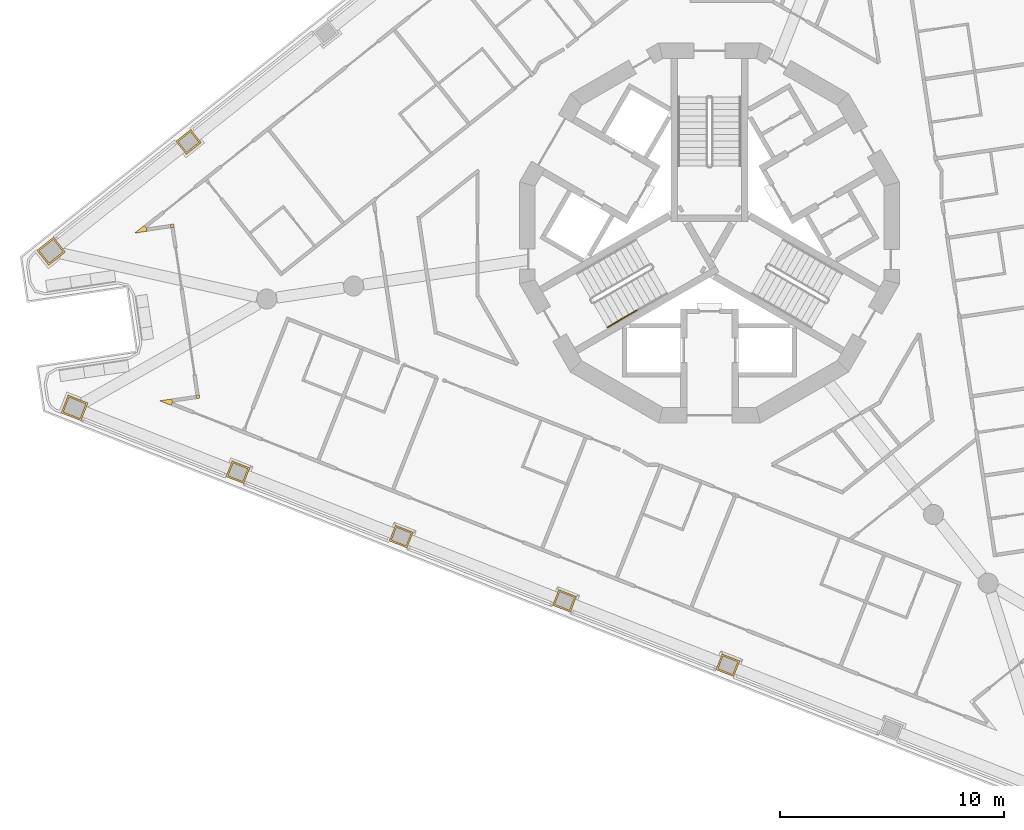
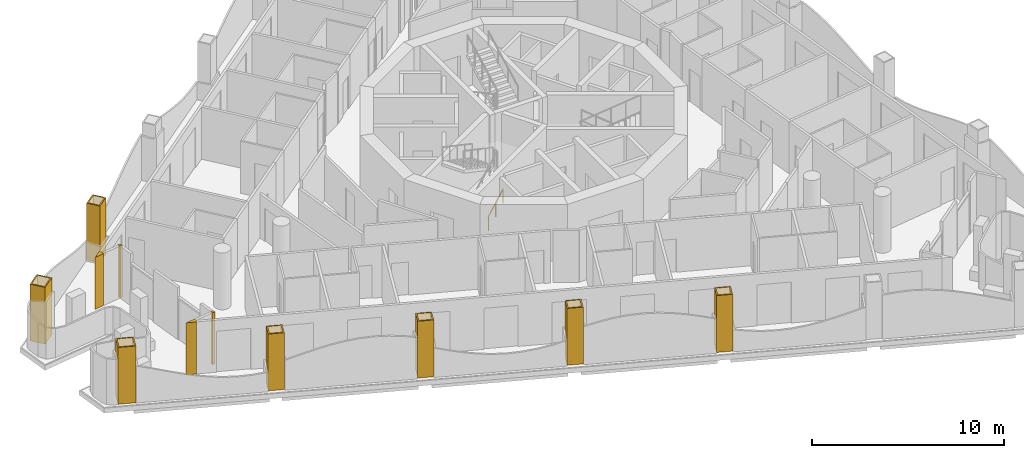
# One storey, part 11 of 17: 11 coverings, 1 railing.
"""IFC4 building model written with IfcOpenShell, lengths in metres."""

from ifc_helpers import new_model, si_unit, direction, frame, origin, origin_2d, place, context, subcontext, project, spatial, polyline, circle, outline, extrude, material, layer, layer_set, type_object, element, save


model = new_model("IFC4")

# Units and contexts
model_context = context("Model", 3, precision=1e-05, world=origin(), true_north=direction((0.0, 1.0)))
body_context = subcontext(model_context, "Body", "Model", "MODEL_VIEW")
ifc_project = project(units=[si_unit("LENGTHUNIT", "METRE"), si_unit("AREAUNIT", "SQUARE_METRE"), si_unit("VOLUMEUNIT", "CUBIC_METRE"), si_unit("PLANEANGLEUNIT", "RADIAN"), si_unit("MASSUNIT", "GRAM", prefix="KILO")], contexts=[model_context])

# Site, building, storey
site_placement = place(None, origin())
site = spatial("IfcSite", under=ifc_project, at=site_placement, CompositionType="ELEMENT")
building_placement = place(site_placement, origin())
building = spatial("IfcBuilding", under=site, at=building_placement, Name="Trine Commons Tower", CompositionType="ELEMENT")
storey_placement = place(building_placement, frame((0.0, 0.0, 212.39990234375)))
storey = spatial("IfcBuildingStorey", under=building, at=storey_placement, Name="L55", CompositionType="ELEMENT", Elevation=212.39990234375)

# Coverings
ifc_material_1 = material(Name="Aluminium-framed insulated wall panel", Category="aluminium")
ifc_layer_1 = layer(ifc_material_1, 0.14990234375)
ifc_layer_set_1 = layer_set([ifc_layer_1], Name="Aluminium-framed insulated wall panel")
covering_type_1 = type_object("IfcCoveringType", Name="Glazing corner post, aluminium", PredefinedType="CLADDING", material=ifc_layer_set_1)
covering_1_placement = place(storey_placement, origin())
element("IfcCovering", 1, at=covering_1_placement, inside=storey, type_object=covering_type_1, Name="Glazing corner post 6-01", PredefinedType="CLADDING", context=body_context, shape_type="SweptSolid", body=[
    extrude(outline(polyline([(54.83642578125, 62.5712890625), (54.814208984375, 62.7197265625), (54.720947265625, 62.837158203125), (54.28271484375, 62.488525390625), (54.83642578125, 62.5712890625)])), origin(), (0.0, 0.0, 1.0), 3.300048828125),
])
covering_2_placement = place(storey_placement, origin())
element("IfcCovering", 2, at=covering_2_placement, inside=storey, type_object=covering_type_1, Name="Glazing corner post 6-10", PredefinedType="CLADDING", context=body_context, shape_type="SweptSolid", body=[
    extrude(outline(polyline([(55.924072265625, 54.78662109375), (55.97900390625, 54.92626953125), (55.956787109375, 55.07470703125), (55.4033203125, 54.991943359375), (55.924072265625, 54.78662109375)])), origin(), (0.0, 0.0, 1.0), 3.300048828125),
])
covering_3_placement = place(storey_placement, origin())
element("IfcCovering", 3, at=covering_3_placement, inside=storey, type_object=covering_type_1, Name="Glazing corner post 6-11", PredefinedType="CLADDING", context=body_context, shape_type="SweptSolid", body=[
    extrude(outline(polyline([(57.030517578125, 55.235107421875), (57.052734375, 55.0869140625), (57.201171875, 55.10888671875), (57.178955078125, 55.25732421875), (57.030517578125, 55.235107421875)])), origin(), (0.0, 0.0, 1.0), 3.300048828125),
])
covering_4_placement = place(storey_placement, origin())
element("IfcCovering", 4, at=covering_4_placement, inside=storey, type_object=covering_type_1, Name="Glazing corner post 6-12", PredefinedType="CLADDING", context=body_context, shape_type="SweptSolid", body=[
    extrude(outline(polyline([(55.91015625, 62.731689453125), (55.91015625, 62.731689453125), (56.05859375, 62.75390625), (56.036376953125, 62.90234375), (55.887939453125, 62.880126953125), (55.91015625, 62.731689453125)])), origin(), (0.0, 0.0, 1.0), 3.300048828125),
])
ifc_material_2 = material(Name="Limestone, honed", Category="masonry")
ifc_layer_2 = layer(ifc_material_2, 0.074951171875)
ifc_layer_set_2 = layer_set([ifc_layer_2], Name="Limestone, honed")
covering_type_2 = type_object("IfcCoveringType", Name="Limestone column cladding 75", PredefinedType="CLADDING", material=ifc_layer_set_2)
covering_5_placement = place(storey_placement, origin())
element("IfcCovering", 5, at=covering_5_placement, inside=storey, type_object=covering_type_2, Name="Limestone pier cladding 6-03", PredefinedType="CLADDING", context=body_context, shape_type="SweptSolid", body=[
    extrude(outline(polyline([(80.562744140625, 43.66796875), (80.287841796875, 42.97021484375), (81.078857421875, 42.658447265625), (81.353759765625, 43.356201171875), (80.562744140625, 43.66796875)]), holes=[polyline([(80.60498046875, 43.570556640625), (80.38525390625, 43.012451171875), (81.03662109375, 42.755859375), (81.25634765625, 43.31396484375), (80.60498046875, 43.570556640625)])]), origin(), (0.0, 0.0, 1.0), 3.60009765625),
])
covering_6_placement = place(storey_placement, origin())
element("IfcCovering", 6, at=covering_6_placement, inside=storey, type_object=covering_type_2, Name="Limestone pier cladding 6-04", PredefinedType="CLADDING", context=body_context, shape_type="SweptSolid", body=[
    extrude(outline(polyline([(73.25830078125, 46.545166015625), (72.9833984375, 45.847412109375), (73.7744140625, 45.535888671875), (74.04931640625, 46.233642578125), (73.25830078125, 46.545166015625)]), holes=[polyline([(73.30078125, 46.447998046875), (73.080810546875, 45.8896484375), (73.732177734375, 45.633056640625), (73.951904296875, 46.19140625), (73.30078125, 46.447998046875)])]), origin(), (0.0, 0.0, 1.0), 3.60009765625),
])
covering_7_placement = place(storey_placement, origin())
element("IfcCovering", 7, at=covering_7_placement, inside=storey, type_object=covering_type_2, Name="Limestone pier cladding 6-05", PredefinedType="CLADDING", context=body_context, shape_type="SweptSolid", body=[
    extrude(outline(polyline([(65.9541015625, 49.42236328125), (65.67919921875, 48.724609375), (66.47021484375, 48.4130859375), (66.7451171875, 49.11083984375), (65.9541015625, 49.42236328125)]), holes=[polyline([(65.996337890625, 49.3251953125), (65.776611328125, 48.766845703125), (66.427734375, 48.51025390625), (66.647705078125, 49.068603515625), (65.996337890625, 49.3251953125)])]), origin(), (0.0, 0.0, 1.0), 3.60009765625),
])
covering_8_placement = place(storey_placement, origin())
element("IfcCovering", 8, at=covering_8_placement, inside=storey, type_object=covering_type_2, Name="Limestone pier cladding 6-06", PredefinedType="CLADDING", context=body_context, shape_type="SweptSolid", body=[
    extrude(outline(polyline([(58.64990234375, 52.2998046875), (58.375, 51.601806640625), (59.165771484375, 51.290283203125), (59.440673828125, 51.988037109375), (58.64990234375, 52.2998046875)]), holes=[polyline([(58.692138671875, 52.202392578125), (58.47216796875, 51.644287109375), (59.12353515625, 51.3876953125), (59.343505859375, 51.94580078125), (58.692138671875, 52.202392578125)])]), origin(), (0.0, 0.0, 1.0), 3.60009765625),
])
covering_9_placement = place(storey_placement, origin())
element("IfcCovering", 9, at=covering_9_placement, inside=storey, type_object=covering_type_2, Name="Limestone pier cladding 6-07", PredefinedType="CLADDING", context=body_context, shape_type="SweptSolid", body=[
    extrude(outline(polyline([(51.317138671875, 55.24169921875), (51.005615234375, 54.450927734375), (51.8896484375, 54.102783203125), (52.201171875, 54.8935546875), (51.317138671875, 55.24169921875)]), holes=[polyline([(51.359619140625, 55.14453125), (51.10302734375, 54.493408203125), (51.847412109375, 54.2001953125), (52.103759765625, 54.851318359375), (51.359619140625, 55.14453125)])]), origin(), (0.0, 0.0, 1.0), 3.60009765625),
])
covering_10_placement = place(storey_placement, origin())
element("IfcCovering", 10, at=covering_10_placement, inside=storey, type_object=covering_type_2, Name="Limestone pier cladding 6-08", PredefinedType="CLADDING", context=body_context, shape_type="SweptSolid", body=[
    extrude(outline(polyline([(51.19189453125, 61.646484375), (50.662841796875, 62.311767578125), (49.919189453125, 61.72021484375), (50.448486328125, 61.05517578125), (51.19189453125, 61.646484375)]), holes=[polyline([(51.08642578125, 61.658447265625), (50.65087890625, 62.206298828125), (50.024658203125, 61.708251953125), (50.46044921875, 61.160400390625), (51.08642578125, 61.658447265625)])]), origin(), (0.0, 0.0, 1.0), 3.60009765625),
])
covering_11_placement = place(storey_placement, origin())
element("IfcCovering", 11, at=covering_11_placement, inside=storey, type_object=covering_type_2, Name="Limestone pier cladding 6-09", PredefinedType="CLADDING", context=body_context, shape_type="SweptSolid", body=[
    extrude(outline(polyline([(57.265625, 66.54150390625), (56.798583984375, 67.12841796875), (56.13330078125, 66.599365234375), (56.600341796875, 66.012451171875), (57.265625, 66.54150390625)]), holes=[polyline([(57.16015625, 66.5537109375), (56.78662109375, 67.023193359375), (56.23876953125, 66.58740234375), (56.6123046875, 66.117919921875), (57.16015625, 66.5537109375)])]), origin(), (0.0, 0.0, 1.0), 3.60009765625),
])

# Railing
ifc_material_3 = material(Name="Stainless steel handrail", Category="steel")
railing_type = type_object("IfcRailingType", Name="Stair handrail, steel 900", PredefinedType="HANDRAIL", material=ifc_material_3)
railing_placement = place(storey_placement, frame((75.43017578125, 58.27392578125, 0.150146484375)))
element("IfcRailing", 12, at=railing_placement, inside=storey, type_object=railing_type, Name="L55 ST2C stair handrail 1", PredefinedType="HANDRAIL", context=body_context, shape_type="SweptSolid", body=[
    extrude(circle(Radius=0.02099609375, at=origin_2d()), frame((0.0, 0.0, 0.87890625), z_axis=(0.76340495495, 0.440743040072, 0.472184759798), x_axis=(-0.499992328818, 0.866029832698, 0.0)), (0.0, 0.0, 1.0), 1.7470703125),
    extrude(circle(Radius=0.01513671875, at=origin_2d()), origin(), (0.0, 0.0, 1.0), 0.85791015625),
    extrude(circle(Radius=0.01513671875, at=origin_2d()), frame((0.6669921875, 0.385009765625, 0.41259765625)), (0.0, 0.0, 1.0), 0.85791015625),
    extrude(circle(Radius=0.01513671875, at=origin_2d()), frame((1.333740234375, 0.77001953125, 0.824951171875)), (0.0, 0.0, 1.0), 0.85791015625),
])

save(model, "model.ifc")
